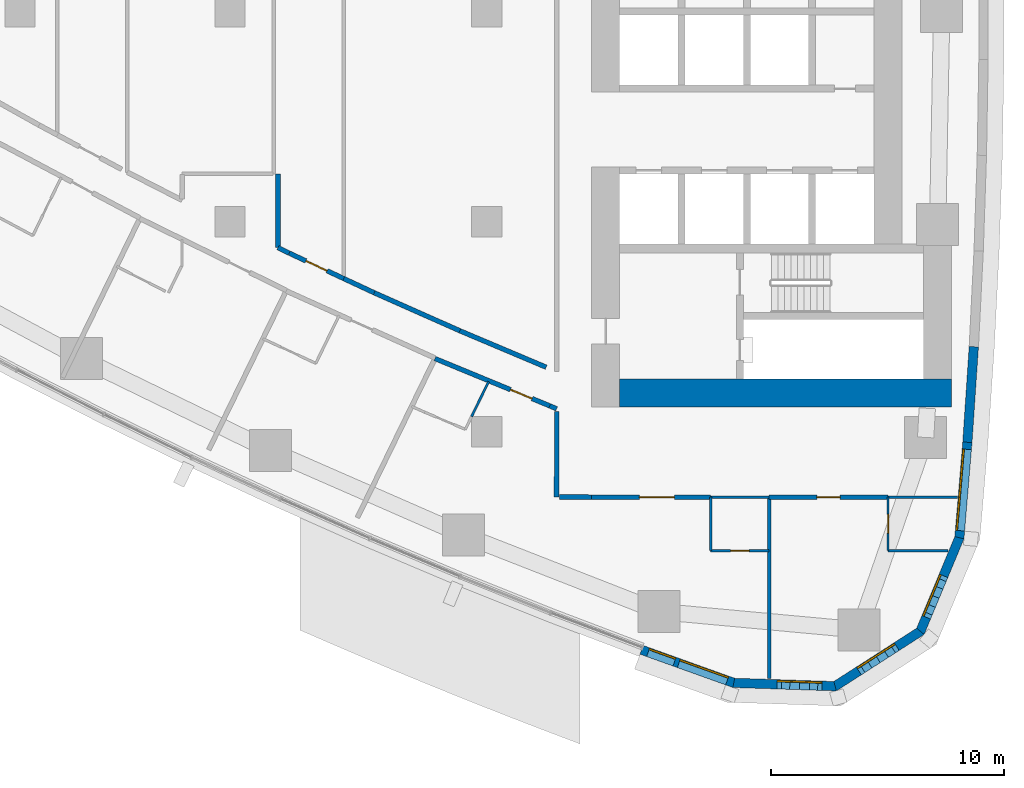
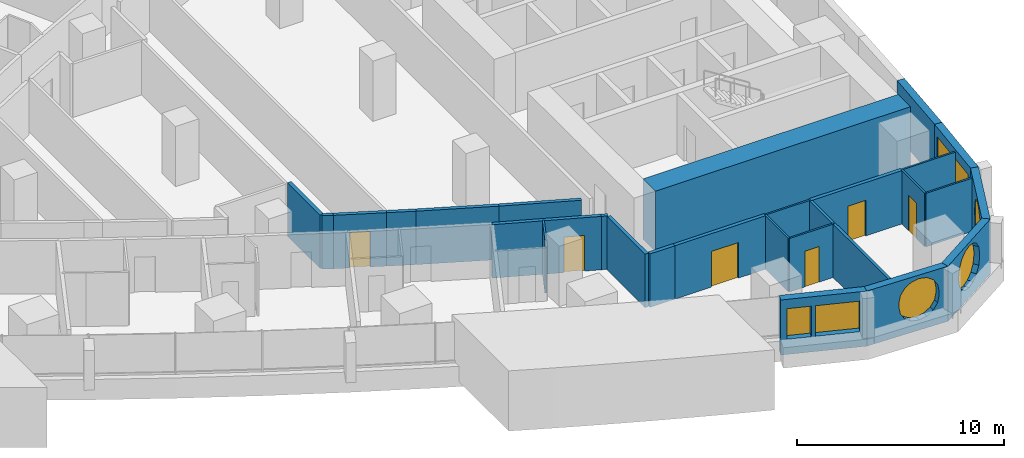
# One storey, part 10 of 19: 27 walls, 6 doors, 6 windows, 12 openings.
"""IFC4 building model written with IfcOpenShell, lengths in metres."""

import ifcopenshell
import ifcopenshell.guid

model = None  # the IFC model being written
_history = None  # IfcOwnerHistory: only IFC2X3 demands one
_inside = {}  # id of a spatial element -> (the spatial element, [elements in it])
_under = {}  # id of a project, library or spatial element -> (it, [spatial elements below it])
_declared = {}  # id of a project -> (the project, [libraries it declares])
_typed = {}  # id of a type object -> (the type object, [elements of that type])
_made_of = {}  # id of a material, layer set ... -> (it, [elements and type objects made of it])


def new_model(schema):
    """Start an empty IFC model of exactly this schema.

    Asked for "IFC4X3", IfcOpenShell would pick the latest addendum, in which some entities
    have other attributes; the version numbers below select the first issue.
    IFC2X3 requires an IfcOwnerHistory on every rooted entity: one is made here for all.
    """
    global model, _history
    if schema == "IFC4X3":
        model = ifcopenshell.file(schema_version=(4, 3, 0, 0))
    else:
        model = ifcopenshell.file(schema=schema)
    _inside.clear()
    _under.clear()
    _declared.clear()
    _typed.clear()
    _made_of.clear()
    _history = None
    if model.schema == "IFC2X3":
        org = make("IfcOrganization", Name="unknown")
        user = make(
            "IfcPersonAndOrganization",
            ThePerson=make("IfcPerson", FamilyName="unknown"),
            TheOrganization=org,
        )
        app = make(
            "IfcApplication",
            ApplicationDeveloper=org,
            Version="unknown",
            ApplicationFullName="unknown",
            ApplicationIdentifier="unknown",
        )
        _history = make(
            "IfcOwnerHistory",
            OwningUser=user,
            OwningApplication=app,
            ChangeAction="ADDED",
            CreationDate=0,
        )
    return model


def make(cls, **values):
    """One entity of the class cls with the attributes given. An attribute that is None is left unset."""
    return model.create_entity(
        cls, **{name: value for name, value in values.items() if value is not None}
    )


def rooted(cls, **values):
    """An entity with a GlobalId (a new one), such as an element, a storey or a relation."""
    return make(cls, GlobalId=ifcopenshell.guid.new(), OwnerHistory=_history, **values)


def si_unit(unit_type, name, prefix=None):
    """IfcSIUnit, for example si_unit("LENGTHUNIT", "METRE", prefix="MILLI")."""
    return make("IfcSIUnit", UnitType=unit_type, Prefix=prefix, Name=name)


def assignment(units):
    """IfcUnitAssignment: the units of a project."""
    return None if units is None else make("IfcUnitAssignment", Units=units)


def point(xyz):
    """IfcCartesianPoint."""
    return None if xyz is None else make("IfcCartesianPoint", Coordinates=xyz)


def direction(xyz):
    """IfcDirection."""
    return None if xyz is None else make("IfcDirection", DirectionRatios=xyz)


def frame(location, z_axis=None, x_axis=None):
    """IfcAxis2Placement3D, a coordinate frame: its origin and axes. An axis left out is left unset."""
    return make(
        "IfcAxis2Placement3D",
        Location=point(location),
        Axis=direction(z_axis),
        RefDirection=direction(x_axis),
    )


def frame_2d(location, x_axis=None):
    """IfcAxis2Placement2D, a coordinate frame in the plane: its origin and x axis."""
    return make(
        "IfcAxis2Placement2D", Location=point(location), RefDirection=direction(x_axis)
    )


def origin():
    """The frame at (0, 0, 0) with its axes left unset."""
    return frame((0.0, 0.0, 0.0))


def place(relative_to, where):
    """IfcLocalPlacement: puts the frame where relative to a parent placement (None: the world)."""
    return make(
        "IfcLocalPlacement", PlacementRelTo=relative_to, RelativePlacement=where
    )


def context(
    kind, dimensions, precision=None, world=None, true_north=None, identifier=None
):
    """IfcGeometricRepresentationContext, for example the 3D "Model" context."""
    return make(
        "IfcGeometricRepresentationContext",
        ContextIdentifier=identifier,
        ContextType=kind,
        CoordinateSpaceDimension=dimensions,
        Precision=precision,
        WorldCoordinateSystem=world,
        TrueNorth=true_north,
    )


def subcontext(parent, identifier, kind, view, scale=None):
    """IfcGeometricRepresentationSubContext, for example "Body" below "Model"."""
    return make(
        "IfcGeometricRepresentationSubContext",
        ContextIdentifier=identifier,
        ContextType=kind,
        ParentContext=parent,
        TargetScale=scale,
        TargetView=view,
    )


def project(units=None, contexts=None):
    """IfcProject with its units and contexts."""
    return rooted(
        "IfcProject",
        Name="project",
        RepresentationContexts=contexts,
        UnitsInContext=assignment(units),
    )


def spatial(cls, under=None, at=None, **own):
    """A site, building, storey or space (cls), placed at a placement, below another one or the project."""
    s = rooted(cls, ObjectPlacement=at, **own)
    if under is not None:
        _under.setdefault(under.id(), (under, []))[1].append(s)
    return s


def polyline(points):
    """IfcPolyline through the points."""
    return make("IfcPolyline", Points=[point(p) for p in points])


def profile(cls, at=None, kind="AREA", **sizes):
    """A parametric profile (cls). Its sizes go by their IFC names, for example OverallWidth=200.0."""
    return make(cls, ProfileType=kind, Position=at, **sizes)


def rectangle(**sizes):
    """IfcRectangleProfileDef."""
    return profile("IfcRectangleProfileDef", **sizes)


def outline(outer, holes=None, kind="AREA"):
    """IfcArbitraryClosedProfileDef: a profile drawn as a closed curve; with holes, ...WithVoids."""
    if holes is None:
        return make("IfcArbitraryClosedProfileDef", ProfileType=kind, OuterCurve=outer)
    return make(
        "IfcArbitraryProfileDefWithVoids",
        ProfileType=kind,
        OuterCurve=outer,
        InnerCurves=holes,
    )


def extrude(swept, where, along, depth):
    """IfcExtrudedAreaSolid: the profile swept, set in the frame where, extruded along a direction by depth."""
    return make(
        "IfcExtrudedAreaSolid",
        SweptArea=swept,
        Position=where,
        ExtrudedDirection=direction(along),
        Depth=depth,
    )


def shape(context_of_items, identifier, shape_type, items):
    """IfcShapeRepresentation: the items that make up one representation, for example the "Body"."""
    return make(
        "IfcShapeRepresentation",
        ContextOfItems=context_of_items,
        RepresentationIdentifier=identifier,
        RepresentationType=shape_type,
        Items=items,
    )


def material(Name=None, Category=None):
    """IfcMaterial."""
    return make("IfcMaterial", Name=Name, Category=Category)


def layer(
    of_material, thickness, ventilated=None, Name=None, Category=None, Priority=None
):
    """IfcMaterialLayer: one layer of a wall or slab, of a material (None: an air gap)."""
    return make(
        "IfcMaterialLayer",
        Material=of_material,
        LayerThickness=thickness,
        IsVentilated=ventilated,
        Name=Name,
        Category=Category,
        Priority=Priority,
    )


def layer_set(layers, Name=None):
    """IfcMaterialLayerSet."""
    return make("IfcMaterialLayerSet", MaterialLayers=layers, LayerSetName=Name)


def made_of(thing, what):
    """Note that an element or type object is made of a material, layer set ...; save() writes the relation."""
    if what is not None:
        _made_of.setdefault(what.id(), (what, []))[1].append(thing)
    return thing


def type_object(cls, material=None, **own):
    """A type object (cls), such as IfcWallType, which elements share."""
    return made_of(rooted(cls, **own), material)


def element(
    cls,
    number,
    at=None,
    inside=None,
    cuts=None,
    type_object=None,
    material=None,
    context=None,
    identifier="Body",
    shape_type=None,
    held_by="IfcProductDefinitionShape",
    body=None,
    shapes=None,
    **own,
):
    """One element of the class cls, such as IfcWall. Its Tag is "e" and its number.

    at: its placement. inside: the storey or other place that contains it. cuts: it is an
    opening in that element (IfcRelVoidsElement). A single representation is given by context,
    identifier, shape_type and body (its items); several are given by shapes. held_by: the class
    of the entity that holds the representations. save() writes the other relations.
    """
    e = rooted(cls, Tag="e%d" % number, ObjectPlacement=at, **own)
    if body is not None:
        shapes = [shape(context, identifier, shape_type, body)]
    if shapes is not None:
        e.Representation = make(held_by, Representations=shapes)
    if inside is not None:
        _inside.setdefault(inside.id(), (inside, []))[1].append(e)
    if cuts is not None:
        rooted(
            "IfcRelVoidsElement", RelatingBuildingElement=cuts, RelatedOpeningElement=e
        )
    if type_object is not None:
        _typed.setdefault(type_object.id(), (type_object, []))[1].append(e)
    return made_of(e, material)


def fill(opening, filler):
    """IfcRelFillsElement: the door or window that sits in an opening."""
    return rooted(
        "IfcRelFillsElement",
        RelatingOpeningElement=opening,
        RelatedBuildingElement=filler,
    )


def aggregate(whole, parts):
    """IfcRelAggregates: a whole, such as a stair, and the parts it consists of."""
    return rooted("IfcRelAggregates", RelatingObject=whole, RelatedObjects=parts)


def save(model, path):
    """Write the relations noted so far, then the file.

    IfcRelAggregates (storeys below a building ...), IfcRelContainedInSpatialStructure (elements
    in a storey), IfcRelDefinesByType, IfcRelAssociatesMaterial and IfcRelDeclares: one each for
    every whole, place, type object, material and project.
    """
    for whole, parts in _under.values():
        aggregate(whole, parts)
    for where, things in _inside.values():
        rooted(
            "IfcRelContainedInSpatialStructure",
            RelatedElements=things,
            RelatingStructure=where,
        )
    for kind, things in _typed.values():
        rooted("IfcRelDefinesByType", RelatedObjects=things, RelatingType=kind)
    for what, things in _made_of.values():
        rooted("IfcRelAssociatesMaterial", RelatedObjects=things, RelatingMaterial=what)
    for by, libraries in _declared.values():
        rooted("IfcRelDeclares", RelatingContext=by, RelatedDefinitions=libraries)
    model.write(path)


model = new_model("IFC4")

# Units and contexts
model_context = context("Model", 3, precision=1e-05, world=origin(), true_north=direction((0.0, 1.0)))
body_context = subcontext(model_context, "Body", "Model", "MODEL_VIEW")
ifc_project = project(units=[si_unit("LENGTHUNIT", "METRE"), si_unit("AREAUNIT", "SQUARE_METRE"), si_unit("VOLUMEUNIT", "CUBIC_METRE"), si_unit("PLANEANGLEUNIT", "RADIAN"), si_unit("MASSUNIT", "GRAM", prefix="KILO")], contexts=[model_context])

# Site, building, storey
site_placement = place(None, origin())
site = spatial("IfcSite", under=ifc_project, at=site_placement, CompositionType="ELEMENT")
building_placement = place(site_placement, origin())
building = spatial("IfcBuilding", under=site, at=building_placement, Name="Ostrand Prow Hotel Tower", CompositionType="ELEMENT")
storey_placement = place(building_placement, frame((0.0, 0.0, 71.550048828125)))
storey = spatial("IfcBuildingStorey", under=building, at=storey_placement, Name="L16", CompositionType="ELEMENT", Elevation=71.550048828125)

# Walls
ifc_material_1 = material(Name="Concrete C80/95", Category="concrete")
ifc_layer_1 = layer(ifc_material_1, 1.199951171875)
ifc_layer_set_1 = layer_set([ifc_layer_1], Name="Concrete C80/95")
wall_type_1 = type_object("IfcWallType", Name="Core wall 1200 C80/95", PredefinedType="SHEAR", material=ifc_layer_set_1)
wall_1_placement = place(storey_placement, frame((50.699951171875, -16.35009765625, 0.0), z_axis=(0.0, 0.0, 1.0), x_axis=(1.0, 0.0, 0.0)))
element("IfcWall", 1, at=wall_1_placement, inside=storey, type_object=wall_type_1, Name="Core wall CW-S", PredefinedType="SHEAR", context=body_context, shape_type="SweptSolid", body=[
    extrude(rectangle(XDim=14.219970703125, YDim=1.199951171875, at=frame_2d((7.10986328125, 0.0))), origin(), (0.0, 0.0, 1.0), 3.550048828125),
])
ifc_material_2 = material(Name="Plasterboard partition")
ifc_layer_2 = layer(ifc_material_2, 0.10009765625)
ifc_layer_set_2 = layer_set([ifc_layer_2], Name="Plasterboard partition")
wall_type_2 = type_object("IfcWallType", Name="Partition 100 bathroom wall", PredefinedType="PARTITIONING", material=ifc_layer_set_2)
wall_2_placement = place(storey_placement, frame((54.601806640625, -23.10009765625, 0.0), z_axis=(0.0, 0.0, 1.0), x_axis=(0.0, 1.0, 0.0)))
element("IfcWall", 2, at=wall_2_placement, inside=storey, type_object=wall_type_2, Name="BATHROOM WALL", PredefinedType="PARTITIONING", context=body_context, shape_type="SweptSolid", body=[
    extrude(rectangle(XDim=2.300048828125, YDim=0.10009765625, at=frame_2d((1.14990234375, 0.0))), origin(), (0.0, 0.0, 1.0), 3.14990234375),
])

# Wall, opening, door
wall_3_placement = place(storey_placement, frame((57.101806640625, -23.10009765625, 0.0), z_axis=(0.0, 0.0, 1.0), x_axis=(-1.0, 0.0, 0.0)))
wall_3 = element("IfcWall", 3, at=wall_3_placement, inside=storey, type_object=wall_type_2, Name="BATHROOM WALL", PredefinedType="PARTITIONING", context=body_context, shape_type="SweptSolid", body=[
    extrude(rectangle(XDim=2.5, YDim=0.10009765625, at=frame_2d((1.25, 0.0))), origin(), (0.0, 0.0, 1.0), 3.14990234375),
])
opening_1_placement = place(wall_3_placement, frame((0.85009765625, 0.0, 0.0)))
opening_1 = element("IfcOpeningElement", 4, at=opening_1_placement, cuts=wall_3, Name="Opening D2", PredefinedType="OPENING", context=body_context, shape_type="SweptSolid", body=[
    extrude(rectangle(XDim=0.800048828125, YDim=2.10009765625, at=frame_2d((0.39990234375, 1.050048828125))), frame((0.0, 0.06005859375, 0.0), z_axis=(0.0, -1.0, 0.0), x_axis=(1.0, 0.0, 0.0)), (0.0, 0.0, 1.0), 0.1201171875),
])
ifc_material_3 = material(Name="Timber door leaf", Category="wood")
door_type_1 = type_object("IfcDoorType", Name="Bathroom door 800", OperationType="SINGLE_SWING_LEFT", PredefinedType="DOOR", material=ifc_material_3)
door_1_placement = place(opening_1_placement, origin())
door_1 = element("IfcDoor", 5, at=door_1_placement, inside=storey, type_object=door_type_1, Name="DOOR", OperationType="SINGLE_SWING_LEFT", OverallHeight=2.10009765625, OverallWidth=0.800048828125, PredefinedType="DOOR", context=body_context, shape_type="SweptSolid", body=[
    extrude(rectangle(XDim=0.800048828125, YDim=2.10009765625, at=frame_2d((0.39990234375, 1.050048828125))), frame((0.0, 0.02490234375, 0.0), z_axis=(0.0, -1.0, 0.0), x_axis=(1.0, 0.0, 0.0)), (0.0, 0.0, 1.0), 0.050048828125),
])
fill(opening_1, door_1)

# Wall
wall_4_placement = place(storey_placement, frame((64.781494140625, -23.10009765625, 0.0), z_axis=(0.0, 0.0, 1.0), x_axis=(-1.0, 0.0, 0.0)))
element("IfcWall", 6, at=wall_4_placement, inside=storey, type_object=wall_type_2, Name="BATHROOM WALL", PredefinedType="PARTITIONING", context=body_context, shape_type="SweptSolid", body=[
    extrude(rectangle(XDim=2.578125, YDim=0.10009765625, at=frame_2d((1.2890625, 0.0))), origin(), (0.0, 0.0, 1.0), 3.14990234375),
])

# Wall, opening, door
wall_5_placement = place(storey_placement, frame((62.203369140625, -23.10009765625, 0.0), z_axis=(0.0, 0.0, 1.0), x_axis=(0.0, 1.0, 0.0)))
wall_5 = element("IfcWall", 7, at=wall_5_placement, inside=storey, type_object=wall_type_2, Name="BATHROOM WALL", PredefinedType="PARTITIONING", context=body_context, shape_type="SweptSolid", body=[
    extrude(rectangle(XDim=2.300048828125, YDim=0.10009765625, at=frame_2d((1.14990234375, 0.0))), origin(), (0.0, 0.0, 1.0), 3.14990234375),
])
opening_2_placement = place(wall_5_placement, frame((0.75, 0.0, 0.0)))
opening_2 = element("IfcOpeningElement", 8, at=opening_2_placement, cuts=wall_5, Name="Opening D2", PredefinedType="OPENING", context=body_context, shape_type="SweptSolid", body=[
    extrude(rectangle(XDim=0.800048828125, YDim=2.10009765625, at=frame_2d((0.39990234375, 1.050048828125))), frame((0.0, 0.06005859375, 0.0), z_axis=(0.0, -1.0, 0.0), x_axis=(1.0, 0.0, 0.0)), (0.0, 0.0, 1.0), 0.1201171875),
])
door_2_placement = place(opening_2_placement, origin())
door_2 = element("IfcDoor", 9, at=door_2_placement, inside=storey, type_object=door_type_1, Name="DOOR", OperationType="SINGLE_SWING_LEFT", OverallHeight=2.10009765625, OverallWidth=0.800048828125, PredefinedType="DOOR", context=body_context, shape_type="SweptSolid", body=[
    extrude(rectangle(XDim=0.800048828125, YDim=2.10009765625, at=frame_2d((0.39990234375, 1.050048828125))), frame((0.0, 0.02490234375, 0.0), z_axis=(0.0, -1.0, 0.0), x_axis=(1.0, 0.0, 0.0)), (0.0, 0.0, 1.0), 0.050048828125),
])
fill(opening_2, door_2)

# Walls
wall_6_placement = place(storey_placement, frame((45.085205078125, -15.851806640625, 0.0), z_axis=(0.0, 0.0, 1.0), x_axis=(-0.438227394636, -0.89886414468, 0.0)))
element("IfcWall", 10, at=wall_6_placement, inside=storey, type_object=wall_type_2, Name="BATHROOM WALL", PredefinedType="PARTITIONING", context=body_context, shape_type="SweptSolid", body=[
    extrude(rectangle(XDim=1.6669921875, YDim=0.10009765625, at=frame_2d((0.83349609375, 0.0))), origin(), (0.0, 0.0, 1.0), 3.14990234375),
])
wall_7_placement = place(storey_placement, frame((54.601806640625, -20.804931640625, 0.0), z_axis=(0.0, 0.0, 1.0), x_axis=(1.0, 0.0, 0.0)))
element("IfcWall", 11, at=wall_7_placement, inside=storey, type_object=wall_type_2, Name="BATHROOM WALL", PredefinedType="PARTITIONING", context=body_context, shape_type="SweptSolid", body=[
    extrude(rectangle(XDim=2.5, YDim=0.10009765625, at=frame_2d((1.25, 0.0))), origin(), (0.0, 0.0, 1.0), 3.14990234375),
])
wall_8_placement = place(storey_placement, frame((62.203369140625, -20.804931640625, 0.0), z_axis=(0.0, 0.0, 1.0), x_axis=(1.0, 0.0, 0.0)))
element("IfcWall", 12, at=wall_8_placement, inside=storey, type_object=wall_type_2, Name="BATHROOM WALL", PredefinedType="PARTITIONING", context=body_context, shape_type="SweptSolid", body=[
    extrude(rectangle(XDim=2.97119140625, YDim=0.10009765625, at=frame_2d((1.485595703125, 0.0))), origin(), (0.0, 0.0, 1.0), 3.14990234375),
])
ifc_material_4 = material(Name="Plasterboard partition")
ifc_layer_3 = layer(ifc_material_4, 0.14990234375)
ifc_layer_set_3 = layer_set([ifc_layer_3], Name="Plasterboard partition")
wall_type_3 = type_object("IfcWallType", Name="Partition 150 room partition", PredefinedType="PARTITIONING", material=ifc_layer_set_3)
wall_9_placement = place(storey_placement, frame((57.101806640625, -28.5869140625, 0.0), z_axis=(0.0, 0.0, 1.0), x_axis=(0.0, 1.0, 0.0)))
element("IfcWall", 13, at=wall_9_placement, inside=storey, type_object=wall_type_3, Name="ROOM PARTITION", PredefinedType="PARTITIONING", context=body_context, shape_type="SweptSolid", body=[
    extrude(rectangle(XDim=7.786865234375, YDim=0.14990234375, at=frame_2d((3.8935546875, 0.0))), origin(), (0.0, 0.0, 1.0), 3.14990234375),
])

# Wall, opening, door
ifc_material_5 = material(Name="Plasterboard partition")
ifc_layer_4 = layer(ifc_material_5, 0.199951171875)
ifc_layer_set_4 = layer_set([ifc_layer_4], Name="Plasterboard partition")
wall_type_4 = type_object("IfcWallType", Name="Partition 200 corridor wall", PredefinedType="PARTITIONING", material=ifc_layer_set_4)
wall_10_placement = place(storey_placement, frame((38.876220703125, -11.440185546875, 0.0), z_axis=(0.0, 0.0, 1.0), x_axis=(-0.906347616376, 0.422532836937, 0.0)))
wall_10 = element("IfcWall", 14, at=wall_10_placement, inside=storey, type_object=wall_type_4, Name="CORRIDOR WALL", PredefinedType="PARTITIONING", context=body_context, shape_type="SweptSolid", body=[
    extrude(rectangle(XDim=2.57763671875, YDim=0.199951171875, at=frame_2d((1.288818359375, 0.0))), origin(), (0.0, 0.0, 1.0), 3.14990234375),
])
opening_3_placement = place(wall_10_placement, frame((0.788818359375, 0.0, 0.0)))
opening_3 = element("IfcOpeningElement", 15, at=opening_3_placement, cuts=wall_10, Name="Opening D1R", PredefinedType="OPENING", context=body_context, shape_type="SweptSolid", body=[
    extrude(rectangle(XDim=1.0, YDim=2.10009765625, at=frame_2d((0.5, 1.050048828125))), frame((0.0, 0.10986328125, 0.0), z_axis=(0.0, -1.0, 0.0), x_axis=(1.0, 0.0, 0.0)), (0.0, 0.0, 1.0), 0.219970703125),
])
ifc_material_6 = material(Name="Timber door leaf", Category="wood")
door_type_2 = type_object("IfcDoorType", Name="Guest room door 1000 right", OperationType="SINGLE_SWING_RIGHT", PredefinedType="DOOR", material=ifc_material_6)
door_3_placement = place(opening_3_placement, origin())
door_3 = element("IfcDoor", 16, at=door_3_placement, inside=storey, type_object=door_type_2, Name="DOOR", OperationType="SINGLE_SWING_RIGHT", OverallHeight=2.10009765625, OverallWidth=1.0, PredefinedType="DOOR", context=body_context, shape_type="SweptSolid", body=[
    extrude(rectangle(XDim=1.0, YDim=2.10009765625, at=frame_2d((0.5, 1.050048828125))), frame((0.0, 0.02490234375, 0.0), z_axis=(0.0, -1.0, 0.0), x_axis=(1.0, 0.0, 0.0)), (0.0, 0.0, 1.0), 0.050048828125),
])
fill(opening_3, door_3)

# Walls
wall_11_placement = place(storey_placement, frame((47.549560546875, -15.239013671875, 0.0), z_axis=(0.0, 0.0, 1.0), x_axis=(-0.921269894054, 0.388923877269, 0.0)))
element("IfcWall", 17, at=wall_11_placement, inside=storey, type_object=wall_type_4, Name="CORRIDOR WALL", PredefinedType="PARTITIONING", context=body_context, shape_type="SweptSolid", body=[
    extrude(rectangle(XDim=4.015625, YDim=0.199951171875, at=frame_2d((2.0078125, 0.0))), origin(), (0.0, 0.0, 1.0), 3.14990234375),
])
wall_12_placement = place(storey_placement, frame((43.85009765625, -13.67724609375, 0.0), z_axis=(0.0, 0.0, 1.0), x_axis=(-0.913986953061, 0.405743576209, 0.0)))
element("IfcWall", 18, at=wall_12_placement, inside=storey, type_object=wall_type_4, Name="CORRIDOR WALL", PredefinedType="PARTITIONING", context=body_context, shape_type="SweptSolid", body=[
    extrude(rectangle(XDim=4.015869140625, YDim=0.199951171875, at=frame_2d((2.0078125, 0.0))), origin(), (0.0, 0.0, 1.0), 3.14990234375),
])
wall_13_placement = place(storey_placement, frame((40.1796875, -12.0478515625, 0.0), z_axis=(0.0, 0.0, 1.0), x_axis=(-0.906347874546, 0.422532283152, 0.0)))
element("IfcWall", 19, at=wall_13_placement, inside=storey, type_object=wall_type_4, Name="CORRIDOR WALL", PredefinedType="PARTITIONING", context=body_context, shape_type="SweptSolid", body=[
    extrude(rectangle(XDim=1.438232421875, YDim=0.199951171875, at=frame_2d((0.71923828125, 0.0))), origin(), (0.0, 0.0, 1.0), 3.14990234375),
])

# Wall, opening, door
wall_14_placement = place(storey_placement, frame((49.5, -20.804931640625, 0.0), z_axis=(0.0, 0.0, 1.0), x_axis=(1.0, 0.0, 0.0)))
wall_14 = element("IfcWall", 20, at=wall_14_placement, inside=storey, type_object=wall_type_4, Name="CORRIDOR WALL", PredefinedType="PARTITIONING", context=body_context, shape_type="SweptSolid", body=[
    extrude(rectangle(XDim=5.0966796875, YDim=0.199951171875, at=frame_2d((2.54833984375, 0.0))), origin(), (0.0, 0.0, 1.0), 3.14990234375),
])
opening_4_placement = place(wall_14_placement, frame((2.04833984375, 0.0, 0.0)))
opening_4 = element("IfcOpeningElement", 21, at=opening_4_placement, cuts=wall_14, Name="Opening D15", PredefinedType="OPENING", context=body_context, shape_type="SweptSolid", body=[
    extrude(rectangle(XDim=1.5, YDim=2.10009765625, at=frame_2d((0.75, 1.050048828125))), frame((0.0, 0.10986328125, 0.0), z_axis=(0.0, -1.0, 0.0), x_axis=(1.0, 0.0, 0.0)), (0.0, 0.0, 1.0), 0.219970703125),
])
ifc_material_7 = material(Name="Timber door leaf", Category="wood")
door_type_3 = type_object("IfcDoorType", Name="Double door 1500", OperationType="DOUBLE_DOOR_SINGLE_SWING", PredefinedType="DOOR", material=ifc_material_7)
door_4_placement = place(opening_4_placement, origin())
door_4 = element("IfcDoor", 22, at=door_4_placement, inside=storey, type_object=door_type_3, Name="DOOR", OperationType="DOUBLE_DOOR_SINGLE_SWING", OverallHeight=2.10009765625, OverallWidth=1.5, PredefinedType="DOOR", context=body_context, shape_type="SweptSolid", body=[
    extrude(rectangle(XDim=1.5, YDim=2.10009765625, at=frame_2d((0.75, 1.050048828125))), frame((0.0, 0.02490234375, 0.0), z_axis=(0.0, -1.0, 0.0), x_axis=(1.0, 0.0, 0.0)), (0.0, 0.0, 1.0), 0.050048828125),
])
fill(opening_4, door_4)

wall_15_placement = place(storey_placement, frame((57.106689453125, -20.804931640625, 0.0), z_axis=(0.0, 0.0, 1.0), x_axis=(1.0, 0.0, 0.0)))
wall_15 = element("IfcWall", 23, at=wall_15_placement, inside=storey, type_object=wall_type_4, Name="CORRIDOR WALL", PredefinedType="PARTITIONING", context=body_context, shape_type="SweptSolid", body=[
    extrude(rectangle(XDim=5.091552734375, YDim=0.199951171875, at=frame_2d((2.5458984375, 0.0))), origin(), (0.0, 0.0, 1.0), 3.14990234375),
])
opening_5_placement = place(wall_15_placement, frame((2.0458984375, 0.0, 0.0)))
opening_5 = element("IfcOpeningElement", 24, at=opening_5_placement, cuts=wall_15, Name="Opening D1", PredefinedType="OPENING", context=body_context, shape_type="SweptSolid", body=[
    extrude(rectangle(XDim=1.0, YDim=2.10009765625, at=frame_2d((0.5, 1.050048828125))), frame((0.0, 0.10986328125, 0.0), z_axis=(0.0, -1.0, 0.0), x_axis=(1.0, 0.0, 0.0)), (0.0, 0.0, 1.0), 0.219970703125),
])
ifc_material_8 = material(Name="Timber door leaf", Category="wood")
door_type_4 = type_object("IfcDoorType", Name="Guest room door 1000", OperationType="SINGLE_SWING_LEFT", PredefinedType="DOOR", material=ifc_material_8)
door_5_placement = place(opening_5_placement, origin())
door_5 = element("IfcDoor", 25, at=door_5_placement, inside=storey, type_object=door_type_4, Name="DOOR", OperationType="SINGLE_SWING_LEFT", OverallHeight=2.10009765625, OverallWidth=1.0, PredefinedType="DOOR", context=body_context, shape_type="SweptSolid", body=[
    extrude(rectangle(XDim=1.0, YDim=2.10009765625, at=frame_2d((0.5, 1.050048828125))), frame((0.0, 0.02490234375, 0.0), z_axis=(0.0, -1.0, 0.0), x_axis=(1.0, 0.0, 0.0)), (0.0, 0.0, 1.0), 0.050048828125),
])
fill(opening_5, door_5)

wall_16_placement = place(storey_placement, frame((42.783935546875, -14.8671875, 0.0), z_axis=(0.0, 0.0, 1.0), x_axis=(0.92451459323, -0.381146647507, 0.0)))
wall_16 = element("IfcWall", 26, at=wall_16_placement, inside=storey, type_object=wall_type_4, Name="CORRIDOR WALL", PredefinedType="PARTITIONING", context=body_context, shape_type="SweptSolid", body=[
    extrude(rectangle(XDim=5.321533203125, YDim=0.199951171875, at=frame_2d((2.66064453125, 0.0))), origin(), (0.0, 0.0, 1.0), 3.14990234375),
])
opening_6_placement = place(wall_16_placement, frame((3.5, 0.0, 0.0)))
opening_6 = element("IfcOpeningElement", 27, at=opening_6_placement, cuts=wall_16, Name="Opening D1R", PredefinedType="OPENING", context=body_context, shape_type="SweptSolid", body=[
    extrude(rectangle(XDim=1.0, YDim=2.10009765625, at=frame_2d((0.5, 1.050048828125))), frame((0.0, 0.10986328125, 0.0), z_axis=(0.0, -1.0, 0.0), x_axis=(1.0, 0.0, 0.0)), (0.0, 0.0, 1.0), 0.219970703125),
])
door_6_placement = place(opening_6_placement, origin())
door_6 = element("IfcDoor", 28, at=door_6_placement, inside=storey, type_object=door_type_2, Name="DOOR", OperationType="SINGLE_SWING_RIGHT", OverallHeight=2.10009765625, OverallWidth=1.0, PredefinedType="DOOR", context=body_context, shape_type="SweptSolid", body=[
    extrude(rectangle(XDim=1.0, YDim=2.10009765625, at=frame_2d((0.5, 1.050048828125))), frame((0.0, 0.02490234375, 0.0), z_axis=(0.0, -1.0, 0.0), x_axis=(1.0, 0.0, 0.0)), (0.0, 0.0, 1.0), 0.050048828125),
])
fill(opening_6, door_6)

# Walls
wall_17_placement = place(storey_placement, frame((36.054931640625, -10.1083984375, 0.0), z_axis=(0.0, 0.0, 1.0), x_axis=(0.0, 1.0, 0.0)))
element("IfcWall", 29, at=wall_17_placement, inside=storey, type_object=wall_type_4, Name="CORRIDOR WALL", PredefinedType="PARTITIONING", context=body_context, shape_type="SweptSolid", body=[
    extrude(rectangle(XDim=3.158447265625, YDim=0.199951171875, at=frame_2d((1.5791015625, 0.0))), origin(), (0.0, 0.0, 1.0), 3.14990234375),
])
wall_18_placement = place(storey_placement, frame((47.703857421875, -16.8955078125, 0.0), z_axis=(0.0, 0.0, 1.0), x_axis=(0.920166313672, -0.391527719559, 0.0)))
element("IfcWall", 30, at=wall_18_placement, inside=storey, type_object=wall_type_4, Name="CORRIDOR WALL", PredefinedType="PARTITIONING", context=body_context, shape_type="SweptSolid", body=[
    extrude(rectangle(XDim=0.320556640625, YDim=0.199951171875, at=frame_2d((0.16015625, 0.0))), origin(), (0.0, 0.0, 1.0), 3.14990234375),
])
wall_19_placement = place(storey_placement, frame((47.99853515625, -17.14111328125, 0.0), z_axis=(0.0, 0.0, 1.0), x_axis=(-0.000866955326, -0.999999624194, 0.0)))
element("IfcWall", 31, at=wall_19_placement, inside=storey, type_object=wall_type_4, Name="CORRIDOR WALL", PredefinedType="PARTITIONING", context=body_context, shape_type="SweptSolid", body=[
    extrude(rectangle(XDim=3.660888671875, YDim=0.199951171875, at=frame_2d((1.83056640625, 0.0))), origin(), (0.0, 0.0, 1.0), 3.14990234375),
])
wall_20_placement = place(storey_placement, frame((48.115478515625, -20.802001953125, 0.0), z_axis=(0.0, 0.0, 1.0), x_axis=(0.999997761218, -0.002116024182, 0.0)))
element("IfcWall", 32, at=wall_20_placement, inside=storey, type_object=wall_type_4, Name="CORRIDOR WALL", PredefinedType="PARTITIONING", context=body_context, shape_type="SweptSolid", body=[
    extrude(rectangle(XDim=1.384521484375, YDim=0.199951171875, at=frame_2d((0.6923828125, 0.0))), origin(), (0.0, 0.0, 1.0), 3.14990234375),
])
wall_21_placement = place(storey_placement, frame((36.5400390625, -10.35107421875, 0.0), z_axis=(0.0, 0.0, 1.0), x_axis=(-0.894337154042, 0.447393624116, 0.0)))
element("IfcWall", 33, at=wall_21_placement, inside=storey, type_object=wall_type_4, Name="CORRIDOR WALL", PredefinedType="PARTITIONING", context=body_context, shape_type="SweptSolid", body=[
    extrude(rectangle(XDim=0.54248046875, YDim=0.199951171875, at=frame_2d((0.271240234375, 0.0))), origin(), (0.0, 0.0, 1.0), 3.14990234375),
])

# Wall, openings, windows
ifc_material_9 = material(Name="Precast concrete C40/50", Category="concrete")
ifc_layer_5 = layer(ifc_material_9, 0.39990234375)
ifc_layer_set_5 = layer_set([ifc_layer_5], Name="Precast concrete C40/50")
wall_type_5 = type_object("IfcWallType", Name="Stone-faced precast wall 400 mm", PredefinedType="NOTDEFINED", material=ifc_layer_set_5)
wall_22_placement = place(storey_placement, frame((51.639892578125, -27.3515625, 0.0), z_axis=(0.0, 0.0, 1.0), x_axis=(0.941339752885, -0.337460323057, 0.0)))
wall_22 = element("IfcWall", 34, at=wall_22_placement, inside=storey, type_object=wall_type_5, Name="Stone-faced wall back 1", PredefinedType="NOTDEFINED", context=body_context, shape_type="SweptSolid", body=[
    extrude(outline(polyline([(0.0, -0.199951171875), (4.2275390625, -0.199951171875), (4.16455078125, 0.199951171875), (0.0, 0.199951171875), (0.0, -0.199951171875)])), origin(), (0.0, 0.0, 1.0), 3.25),
])
opening_7_placement = place(wall_22_placement, frame((0.298095703125, 0.0, 0.89990234375)))
opening_7 = element("IfcOpeningElement", 35, at=opening_7_placement, cuts=wall_22, Name="Opening WS4", PredefinedType="OPENING", context=body_context, shape_type="SweptSolid", body=[
    extrude(rectangle(XDim=1.199951171875, YDim=1.800048828125, at=frame_2d((0.60009765625, 0.89990234375))), frame((0.0, 0.2099609375, 0.0), z_axis=(0.0, -1.0, 0.0), x_axis=(1.0, 0.0, 0.0)), (0.0, 0.0, 1.0), 0.419921875),
])
opening_8_placement = place(wall_22_placement, frame((1.697998046875, 0.0, 0.89990234375)))
opening_8 = element("IfcOpeningElement", 36, at=opening_8_placement, cuts=wall_22, Name="Opening WS5-22", PredefinedType="OPENING", context=body_context, shape_type="SweptSolid", body=[
    extrude(rectangle(XDim=2.199951171875, YDim=1.800048828125, at=frame_2d((1.10009765625, 0.89990234375))), frame((0.0, 0.2099609375, 0.0), z_axis=(0.0, -1.0, 0.0), x_axis=(1.0, 0.0, 0.0)), (0.0, 0.0, 1.0), 0.419921875),
])
ifc_material_10 = material(Name="Insulated glass in bronze frame", Category="glass")
window_type_1 = type_object("IfcWindowType", Name="Fixed strip window 2200x1800", PartitioningType="SINGLE_PANEL", PredefinedType="WINDOW", material=ifc_material_10)
window_1_placement = place(opening_8_placement, origin())
window_1 = element("IfcWindow", 37, at=window_1_placement, inside=storey, type_object=window_type_1, Name="Window back 1.2", OverallHeight=1.800048828125, OverallWidth=2.199951171875, PartitioningType="SINGLE_PANEL", PredefinedType="WINDOW", context=body_context, shape_type="SweptSolid", body=[
    extrude(rectangle(XDim=2.199951171875, YDim=1.800048828125, at=frame_2d((1.10009765625, 0.89990234375))), frame((0.0, 0.169921875, 0.0), z_axis=(0.0, -1.0, 0.0), x_axis=(1.0, 0.0, 0.0)), (0.0, 0.0, 1.0), 0.06005859375),
])
fill(opening_8, window_1)
ifc_material_11 = material(Name="Insulated glass in bronze frame", Category="glass")
window_type_2 = type_object("IfcWindowType", Name="Operable strip panel 1200x1800", PartitioningType="SINGLE_PANEL", PredefinedType="WINDOW", material=ifc_material_11)
window_2_placement = place(opening_7_placement, origin())
window_2 = element("IfcWindow", 38, at=window_2_placement, inside=storey, type_object=window_type_2, Name="Window back 1.1", OverallHeight=1.800048828125, OverallWidth=1.199951171875, PartitioningType="SINGLE_PANEL", PredefinedType="WINDOW", context=body_context, shape_type="SweptSolid", body=[
    extrude(rectangle(XDim=1.199951171875, YDim=1.800048828125, at=frame_2d((0.60009765625, 0.89990234375))), frame((0.0, 0.169921875, 0.0), z_axis=(0.0, -1.0, 0.0), x_axis=(1.0, 0.0, 0.0)), (0.0, 0.0, 1.0), 0.06005859375),
])
fill(opening_7, window_2)

# Wall, opening, window
wall_23_placement = place(storey_placement, frame((55.58984375, -28.767578125, 0.0), z_axis=(0.0, 0.0, 1.0), x_axis=(0.999463576228, -0.032749958686, 0.0)))
wall_23 = element("IfcWall", 39, at=wall_23_placement, inside=storey, type_object=wall_type_5, Name="Stone-faced wall back 2", PredefinedType="NOTDEFINED", context=body_context, shape_type="SweptSolid", body=[
    extrude(outline(polyline([(-0.031494140625, -0.199951171875), (4.40869140625, -0.199951171875), (4.28369140625, 0.199951171875), (0.031494140625, 0.199951171875), (-0.031494140625, -0.199951171875)])), origin(), (0.0, 0.0, 1.0), 3.25),
])
opening_9_placement = place(wall_23_placement, frame((1.724365234375, 0.0, 0.60009765625)))
opening_9 = element("IfcOpeningElement", 40, at=opening_9_placement, cuts=wall_23, Name="Opening WP1", PredefinedType="OPENING", context=body_context, shape_type="SweptSolid", body=[
    extrude(outline(polyline([(0.0, 1.35009765625), (0.083740234375, 1.77099609375), (0.322265625, 2.127685546875), (0.678955078125, 2.3662109375), (1.10009765625, 2.449951171875), (1.52099609375, 2.3662109375), (1.877685546875, 2.127685546875), (2.1162109375, 1.77099609375), (2.199951171875, 1.35009765625), (2.199951171875, 1.10009765625), (2.1162109375, 0.678955078125), (1.877685546875, 0.322265625), (1.52099609375, 0.083740234375), (1.10009765625, 0.0), (0.678955078125, 0.083740234375), (0.322265625, 0.322265625), (0.083740234375, 0.678955078125), (0.0, 1.099853515625), (0.0, 1.35009765625)])), frame((0.0, 0.2099609375, 0.0), z_axis=(0.0, -1.0, 0.0), x_axis=(1.0, 0.0, 0.0)), (0.0, 0.0, 1.0), 0.419921875),
])
ifc_material_12 = material(Name="Insulated glass in bronze frame", Category="glass")
window_type_3 = type_object("IfcWindowType", Name="Round-ended prow window 2200x2450", PartitioningType="SINGLE_PANEL", PredefinedType="WINDOW", material=ifc_material_12)
window_3_placement = place(opening_9_placement, origin())
window_3 = element("IfcWindow", 41, at=window_3_placement, inside=storey, type_object=window_type_3, Name="Window back 2.1", OverallHeight=2.449951171875, OverallWidth=2.199951171875, PartitioningType="SINGLE_PANEL", PredefinedType="WINDOW", context=body_context, shape_type="SweptSolid", body=[
    extrude(outline(polyline([(0.0, 1.35009765625), (0.083740234375, 1.77099609375), (0.322265625, 2.127685546875), (0.678955078125, 2.3662109375), (1.10009765625, 2.449951171875), (1.52099609375, 2.3662109375), (1.877685546875, 2.127685546875), (2.1162109375, 1.77099609375), (2.199951171875, 1.35009765625), (2.199951171875, 1.10009765625), (2.1162109375, 0.678955078125), (1.877685546875, 0.322265625), (1.52099609375, 0.083740234375), (1.10009765625, 0.0), (0.678955078125, 0.083740234375), (0.322265625, 0.322265625), (0.083740234375, 0.678955078125), (0.0, 1.099853515625), (0.0, 1.35009765625)])), frame((0.0, 0.169921875, 0.0), z_axis=(0.0, -1.0, 0.0), x_axis=(1.0, 0.0, 0.0)), (0.0, 0.0, 1.0), 0.06005859375),
])
fill(opening_9, window_3)

wall_24_placement = place(storey_placement, frame((59.93359375, -28.909912109375, 0.0), z_axis=(0.0, 0.0, 1.0), x_axis=(0.840937468718, 0.541132307025, 0.0)))
wall_24 = element("IfcWall", 42, at=wall_24_placement, inside=storey, type_object=wall_type_5, Name="Stone-faced wall back 3", PredefinedType="NOTDEFINED", context=body_context, shape_type="SweptSolid", body=[
    extrude(outline(polyline([(-0.0625, -0.199951171875), (4.40869140625, -0.199951171875), (4.28369140625, 0.199951171875), (0.0625, 0.199951171875), (-0.0625, -0.199951171875)])), origin(), (0.0, 0.0, 1.0), 3.25),
])
opening_10_placement = place(wall_24_placement, frame((1.072998046875, 0.0, 0.60009765625)))
opening_10 = element("IfcOpeningElement", 43, at=opening_10_placement, cuts=wall_24, Name="Opening WP1", PredefinedType="OPENING", context=body_context, shape_type="SweptSolid", body=[
    extrude(outline(polyline([(0.0, 1.35009765625), (0.083740234375, 1.77099609375), (0.322265625, 2.127685546875), (0.678955078125, 2.3662109375), (1.10009765625, 2.449951171875), (1.52099609375, 2.3662109375), (1.877685546875, 2.127685546875), (2.1162109375, 1.77099609375), (2.199951171875, 1.35009765625), (2.199951171875, 1.10009765625), (2.1162109375, 0.678955078125), (1.877685546875, 0.322265625), (1.52099609375, 0.083740234375), (1.10009765625, 0.0), (0.678955078125, 0.083740234375), (0.322265625, 0.322265625), (0.083740234375, 0.678955078125), (0.0, 1.099853515625), (0.0, 1.35009765625)])), frame((0.0, 0.2099609375, 0.0), z_axis=(0.0, -1.0, 0.0), x_axis=(1.0, 0.0, 0.0)), (0.0, 0.0, 1.0), 0.419921875),
])
window_4_placement = place(opening_10_placement, origin())
window_4 = element("IfcWindow", 44, at=window_4_placement, inside=storey, type_object=window_type_3, Name="Window back 3.1", OverallHeight=2.449951171875, OverallWidth=2.199951171875, PartitioningType="SINGLE_PANEL", PredefinedType="WINDOW", context=body_context, shape_type="SweptSolid", body=[
    extrude(outline(polyline([(0.0, 1.35009765625), (0.083740234375, 1.77099609375), (0.322265625, 2.127685546875), (0.678955078125, 2.3662109375), (1.10009765625, 2.449951171875), (1.52099609375, 2.3662109375), (1.877685546875, 2.127685546875), (2.1162109375, 1.77099609375), (2.199951171875, 1.35009765625), (2.199951171875, 1.10009765625), (2.1162109375, 0.678955078125), (1.877685546875, 0.322265625), (1.52099609375, 0.083740234375), (1.10009765625, 0.0), (0.678955078125, 0.083740234375), (0.322265625, 0.322265625), (0.083740234375, 0.678955078125), (0.0, 1.099853515625), (0.0, 1.35009765625)])), frame((0.0, 0.169921875, 0.0), z_axis=(0.0, -1.0, 0.0), x_axis=(1.0, 0.0, 0.0)), (0.0, 0.0, 1.0), 0.06005859375),
])
fill(opening_10, window_4)

wall_25_placement = place(storey_placement, frame((63.58837890625, -26.55810546875, 0.0), z_axis=(0.0, 0.0, 1.0), x_axis=(0.384372042685, 0.923178277908, 0.0)))
wall_25 = element("IfcWall", 45, at=wall_25_placement, inside=storey, type_object=wall_type_5, Name="Stone-faced wall back 4", PredefinedType="NOTDEFINED", context=body_context, shape_type="SweptSolid", body=[
    extrude(outline(polyline([(-0.0625, -0.199951171875), (4.376953125, -0.199951171875), (4.314453125, 0.199951171875), (0.0625, 0.199951171875), (-0.0625, -0.199951171875)])), origin(), (0.0, 0.0, 1.0), 3.25),
])
opening_11_placement = place(wall_25_placement, frame((0.515380859375, 0.0, 0.60009765625)))
opening_11 = element("IfcOpeningElement", 46, at=opening_11_placement, cuts=wall_25, Name="Opening WP1", PredefinedType="OPENING", context=body_context, shape_type="SweptSolid", body=[
    extrude(outline(polyline([(0.0, 1.35009765625), (0.083740234375, 1.77099609375), (0.322265625, 2.127685546875), (0.678955078125, 2.3662109375), (1.10009765625, 2.449951171875), (1.52099609375, 2.3662109375), (1.877685546875, 2.127685546875), (2.1162109375, 1.77099609375), (2.199951171875, 1.35009765625), (2.199951171875, 1.10009765625), (2.1162109375, 0.678955078125), (1.877685546875, 0.322265625), (1.52099609375, 0.083740234375), (1.10009765625, 0.0), (0.678955078125, 0.083740234375), (0.322265625, 0.322265625), (0.083740234375, 0.678955078125), (0.0, 1.099853515625), (0.0, 1.35009765625)])), frame((0.0, 0.2099609375, 0.0), z_axis=(0.0, -1.0, 0.0), x_axis=(1.0, 0.0, 0.0)), (0.0, 0.0, 1.0), 0.419921875),
])
window_5_placement = place(opening_11_placement, origin())
window_5 = element("IfcWindow", 47, at=window_5_placement, inside=storey, type_object=window_type_3, Name="Window back 4.1", OverallHeight=2.449951171875, OverallWidth=2.199951171875, PartitioningType="SINGLE_PANEL", PredefinedType="WINDOW", context=body_context, shape_type="SweptSolid", body=[
    extrude(outline(polyline([(0.0, 1.35009765625), (0.083740234375, 1.77099609375), (0.322265625, 2.127685546875), (0.678955078125, 2.3662109375), (1.10009765625, 2.449951171875), (1.52099609375, 2.3662109375), (1.877685546875, 2.127685546875), (2.1162109375, 1.77099609375), (2.199951171875, 1.35009765625), (2.199951171875, 1.10009765625), (2.1162109375, 0.678955078125), (1.877685546875, 0.322265625), (1.52099609375, 0.083740234375), (1.10009765625, 0.0), (0.678955078125, 0.083740234375), (0.322265625, 0.322265625), (0.083740234375, 0.678955078125), (0.0, 1.099853515625), (0.0, 1.35009765625)])), frame((0.0, 0.169921875, 0.0), z_axis=(0.0, -1.0, 0.0), x_axis=(1.0, 0.0, 0.0)), (0.0, 0.0, 1.0), 0.06005859375),
])
fill(opening_11, window_5)

wall_26_placement = place(storey_placement, frame((65.2587890625, -22.546142578125, 0.0), z_axis=(0.0, 0.0, 1.0), x_axis=(0.083793550906, 0.996483136248, 0.0)))
wall_26 = element("IfcWall", 48, at=wall_26_placement, inside=storey, type_object=wall_type_5, Name="Stone-faced wall back 5", PredefinedType="NOTDEFINED", context=body_context, shape_type="SweptSolid", body=[
    extrude(outline(polyline([(-0.03125, -0.199951171875), (4.10693359375, -0.199951171875), (4.103515625, 0.199951171875), (0.03125, 0.199951171875), (-0.03125, -0.199951171875)])), origin(), (0.0, 0.0, 1.0), 3.25),
])
opening_12_placement = place(wall_26_placement, frame((0.302490234375, 0.0, 0.89990234375)))
opening_12 = element("IfcOpeningElement", 49, at=opening_12_placement, cuts=wall_26, Name="Opening WS3-35", PredefinedType="OPENING", context=body_context, shape_type="SweptSolid", body=[
    extrude(rectangle(XDim=3.5, YDim=1.800048828125, at=frame_2d((1.75, 0.89990234375))), frame((0.0, 0.2099609375, 0.0), z_axis=(0.0, -1.0, 0.0), x_axis=(1.0, 0.0, 0.0)), (0.0, 0.0, 1.0), 0.419921875),
])
ifc_material_13 = material(Name="Insulated glass in bronze frame", Category="glass")
window_type_4 = type_object("IfcWindowType", Name="Strip window 3500x1800", PartitioningType="SINGLE_PANEL", PredefinedType="WINDOW", material=ifc_material_13)
window_6_placement = place(opening_12_placement, origin())
window_6 = element("IfcWindow", 50, at=window_6_placement, inside=storey, type_object=window_type_4, Name="Window back 5.1", OverallHeight=1.800048828125, OverallWidth=3.5, PartitioningType="SINGLE_PANEL", PredefinedType="WINDOW", context=body_context, shape_type="SweptSolid", body=[
    extrude(rectangle(XDim=3.5, YDim=1.800048828125, at=frame_2d((1.75, 0.89990234375))), frame((0.0, 0.169921875, 0.0), z_axis=(0.0, -1.0, 0.0), x_axis=(1.0, 0.0, 0.0)), (0.0, 0.0, 1.0), 0.06005859375),
])
fill(opening_12, window_6)

# Wall
wall_27_placement = place(storey_placement, frame((65.602783203125, -18.455322265625, 0.0), z_axis=(0.0, 0.0, 1.0), x_axis=(0.067087430225, 0.997747100575, 0.0)))
element("IfcWall", 51, at=wall_27_placement, inside=storey, type_object=wall_type_5, Name="Stone-faced wall back 6", PredefinedType="NOTDEFINED", context=body_context, shape_type="SweptSolid", body=[
    extrude(outline(polyline([(-0.001708984375, -0.199951171875), (4.106689453125, -0.199951171875), (4.103271484375, 0.199951171875), (0.001708984375, 0.199951171875), (-0.001708984375, -0.199951171875)])), origin(), (0.0, 0.0, 1.0), 3.25),
])

save(model, "model.ifc")
